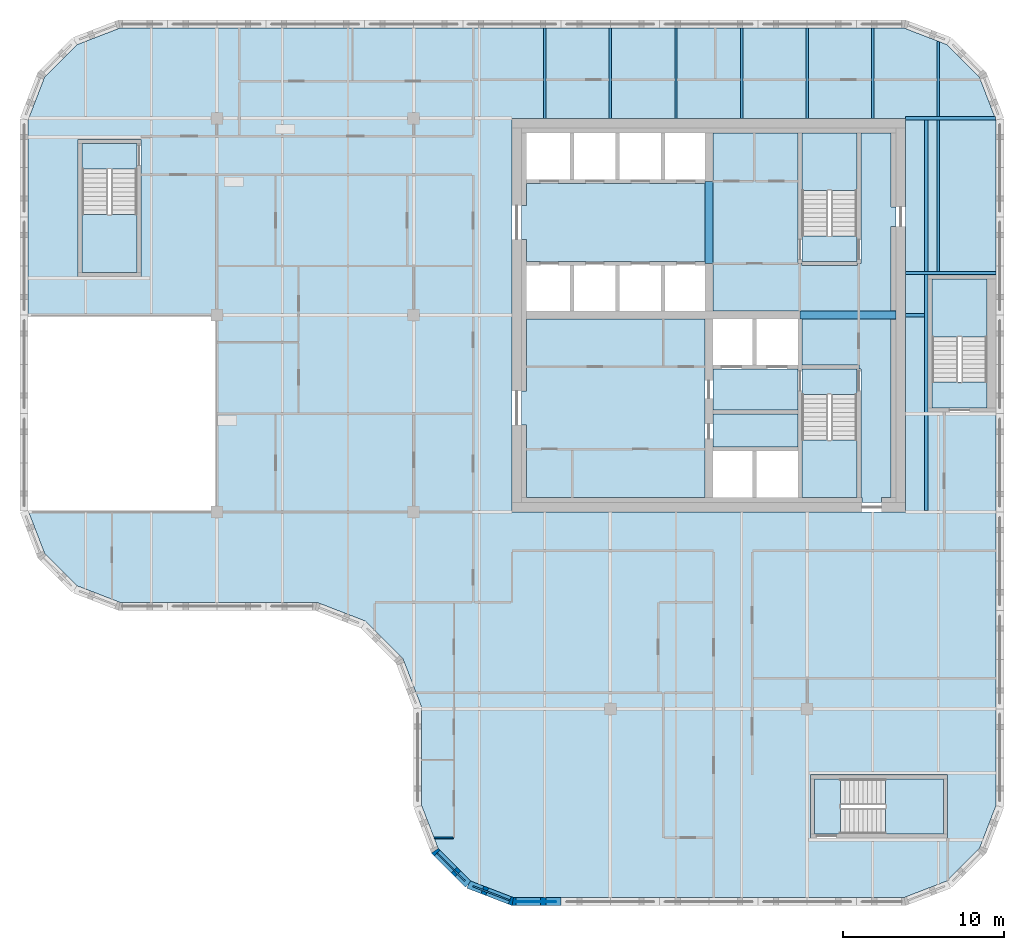
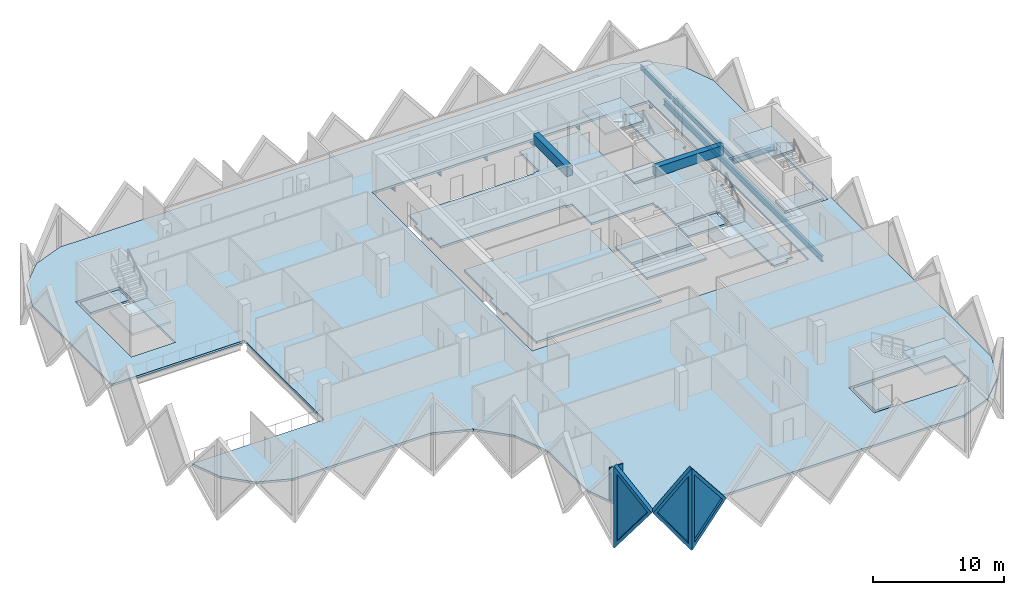
# One storey, part 2 of 12: 15 slabs, 14 beams, 4 walls, 3 plates, 3 openings, 5 elements without a shape of their own.
"""IFC4 building model written with IfcOpenShell, lengths in metres."""

from ifc_helpers import new_model, si_unit, direction, frame, frame_2d, origin, origin_2d, place, context, subcontext, project, spatial, polyline, rectangle, i_section, outline, extrude, faceted_brep, source, transform, mapped, material, layer, layer_set, material_profile, profile_set, type_object, element, fill, aggregate, save


model = new_model("IFC4")

# Units and contexts
model_context = context("Model", 3, precision=1e-05, world=origin(), true_north=direction((0.0, 1.0)))
body_context = subcontext(model_context, "Body", "Model", "MODEL_VIEW")
ifc_project = project(units=[si_unit("LENGTHUNIT", "METRE"), si_unit("AREAUNIT", "SQUARE_METRE"), si_unit("VOLUMEUNIT", "CUBIC_METRE"), si_unit("PLANEANGLEUNIT", "RADIAN"), si_unit("MASSUNIT", "GRAM", prefix="KILO")], contexts=[model_context])

# Site, building, storey
site_placement = place(None, origin())
site = spatial("IfcSite", under=ifc_project, at=site_placement, CompositionType="ELEMENT")
building_placement = place(site_placement, origin())
building = spatial("IfcBuilding", under=site, at=building_placement, Name="Tessera Gate Towers", CompositionType="ELEMENT")
storey_placement = place(building_placement, frame((0.0, 0.0, 163.0)))
storey = spatial("IfcBuildingStorey", under=building, at=storey_placement, Name="L40", CompositionType="ELEMENT", Elevation=163.0)

# Beams
ifc_material_1 = material(Name="Concrete C50/60", Category="concrete")
ifc_material_profile_1 = material_profile(ifc_material_1, rectangle(XDim=0.5, YDim=0.89990234375, at=origin_2d()), Name="RC 500x900")
ifc_profile_set_1 = profile_set([ifc_material_profile_1], Name="Concrete C50/60")
beam_type_1 = type_object("IfcBeamType", Name="COUPLING BEAM 500x900 C50/60", PredefinedType="BEAM", material=ifc_profile_set_1)
beam_1_placement = place(storey_placement, frame((48.35009765625, 36.60009765625, 3.14990234375), z_axis=(1.0, 0.0, 0.0), x_axis=(0.0, 1.0, 0.0)))
element("IfcBeam", 1, at=beam_1_placement, inside=storey, type_object=beam_type_1, Name="L40 coupling beam 1", PredefinedType="BEAM", context=body_context, shape_type="SweptSolid", body=[
    extrude(rectangle(XDim=0.5, YDim=0.89990234375, at=origin_2d()), origin(), (0.0, 0.0, 1.0), 5.949951171875),
])
beam_2_placement = place(storey_placement, frame((42.699951171875, 39.800048828125, 3.14990234375), z_axis=(0.0, 1.0, 0.0), x_axis=(-1.0, 0.0, 0.0)))
element("IfcBeam", 2, at=beam_2_placement, inside=storey, type_object=beam_type_1, Name="L40 coupling beam 2", PredefinedType="BEAM", context=body_context, shape_type="SweptSolid", body=[
    extrude(rectangle(XDim=0.5, YDim=0.89990234375, at=origin_2d()), origin(), (0.0, 0.0, 1.0), 5.099853515625),
])
ifc_material_2 = material(Name="Steel 350W", Category="steel")
ifc_material_profile_2 = material_profile(ifc_material_2, i_section(OverallWidth=0.208984375, OverallDepth=0.532958984375, WebThickness=0.01025390625, FlangeThickness=0.015625, at=origin_2d()), Name="W530x92")
ifc_profile_set_2 = profile_set([ifc_material_profile_2], Name="Steel 350W")
beam_type_2 = type_object("IfcBeamType", Name="FLOOR GIRDER W530x92", PredefinedType="BEAM", material=ifc_profile_set_2)
beam_3_placement = place(storey_placement, frame((54.89892578125, 36.60009765625, -0.466552734375), z_axis=(1.0, 0.0, 0.0), x_axis=(0.0, 1.0, 0.0)))
element("IfcBeam", 3, at=beam_3_placement, inside=storey, type_object=beam_type_2, Name="T1-GD-L40-4526", PredefinedType="BEAM", context=body_context, shape_type="SweptSolid", body=[
    extrude(i_section(OverallWidth=0.208984375, OverallDepth=0.532958984375, WebThickness=0.01025390625, FlangeThickness=0.015625, at=origin_2d()), origin(), (0.0, 0.0, 1.0), 1.176513671875),
])
beam_4_placement = place(storey_placement, frame((54.90087890625, 48.800048828125, -0.466552734375), z_axis=(1.0, 0.0, 0.0), x_axis=(0.0, 1.0, 0.0)))
element("IfcBeam", 4, at=beam_4_placement, inside=storey, type_object=beam_type_2, Name="T1-GD-L40-4530", PredefinedType="BEAM", context=body_context, shape_type="SweptSolid", body=[
    extrude(i_section(OverallWidth=0.208984375, OverallDepth=0.532958984375, WebThickness=0.01025390625, FlangeThickness=0.015625, at=origin_2d()), origin(), (0.0, 0.0, 1.0), 5.564208984375),
])
beam_5_placement = place(storey_placement, frame((54.89892578125, 39.219970703125, -0.466552734375), z_axis=(1.0, 0.0, 0.0), x_axis=(0.0, 1.0, 0.0)))
element("IfcBeam", 5, at=beam_5_placement, inside=storey, type_object=beam_type_2, Name="T1-GD-L40-4548", PredefinedType="BEAM", context=body_context, shape_type="SweptSolid", body=[
    extrude(i_section(OverallWidth=0.208984375, OverallDepth=0.532958984375, WebThickness=0.01025390625, FlangeThickness=0.015625, at=origin_2d()), origin(), (0.0, 0.0, 1.0), 5.60205078125),
])
beam_6_placement = place(storey_placement, frame((56.179931640625, 24.50439453125, -0.466552734375), z_axis=(0.0, 1.0, 0.0), x_axis=(-1.0, 0.0, 0.0)))
element("IfcBeam", 6, at=beam_6_placement, inside=storey, type_object=beam_type_2, Name="T1-GD-L40-4549", PredefinedType="BEAM", context=body_context, shape_type="SweptSolid", body=[
    extrude(i_section(OverallWidth=0.208984375, OverallDepth=0.532958984375, WebThickness=0.01025390625, FlangeThickness=0.015625, at=origin_2d()), origin(), (0.0, 0.0, 1.0), 24.191162109375),
])
ifc_material_3 = material(Name="Steel 350W", Category="steel")
ifc_material_profile_3 = material_profile(ifc_material_3, i_section(OverallWidth=0.153076171875, OverallDepth=0.455078125, WebThickness=0.008056640625, FlangeThickness=0.01318359375, at=origin_2d()), Name="W460x60")
ifc_profile_set_3 = profile_set([ifc_material_profile_3], Name="Steel 350W")
beam_type_3 = type_object("IfcBeamType", Name="FLOOR SECONDARY W460x60", PredefinedType="BEAM", material=ifc_profile_set_3)
for number, where, z_axis, x_axis, name in (
    (7, (32.533203125, 48.800048828125, -0.427490234375), (0.0, 1.0, 0.0), (-1.0, 0.0, 0.0), "T1-BM-L40-4571"),
    (8, (36.60009765625, 48.800048828125, -0.427490234375), (0.0, 1.0, 0.0), (-1.0, 0.0, 0.0), "T1-BM-L40-4572"),
    (9, (40.666748046875, 48.800048828125, -0.427490234375), (0.0, 1.0, 0.0), (-1.0, 0.0, 0.0), "T1-BM-L40-4575"),
    (10, (44.7333984375, 48.800048828125, -0.427490234375), (0.0, 1.0, 0.0), (-1.0, 0.0, 0.0), "T1-BM-L40-4578"),
    (11, (48.800048828125, 48.800048828125, -0.427490234375), (0.0, 1.0, 0.0), (-1.0, 0.0, 0.0), "T1-BM-L40-4579"),
    (12, (52.86669921875, 48.800048828125, -0.427490234375), (0.0, 1.0, 0.0), (-1.0, 0.0, 0.0), "T1-BM-L40-4583"),
):
    element("IfcBeam", number, at=place(storey_placement, frame(where, z_axis=z_axis, x_axis=x_axis)), inside=storey, type_object=beam_type_3, Name=name, PredefinedType="BEAM", context=body_context, shape_type="SweptSolid", body=[
        extrude(i_section(OverallWidth=0.153076171875, OverallDepth=0.455078125, WebThickness=0.008056640625, FlangeThickness=0.01318359375, at=origin_2d()), origin(), (0.0, 0.0, 1.0), 5.599853515625),
    ])
beam_7_placement = place(storey_placement, frame((56.933349609375, 39.324462890625, -0.427490234375), z_axis=(0.0, 1.0, 0.0), x_axis=(-1.0, 0.0, 0.0)))
element("IfcBeam", 13, at=beam_7_placement, inside=storey, type_object=beam_type_3, Name="T1-BM-L40-4588", PredefinedType="BEAM", context=body_context, shape_type="SweptSolid", body=[
    extrude(i_section(OverallWidth=0.153076171875, OverallDepth=0.455078125, WebThickness=0.008056640625, FlangeThickness=0.01318359375, at=origin_2d()), origin(), (0.0, 0.0, 1.0), 9.37109375),
])
beam_8_placement = place(storey_placement, frame((56.933349609375, 48.904541015625, -0.427490234375), z_axis=(0.0, 1.0, 0.0), x_axis=(-1.0, 0.0, 0.0)))
element("IfcBeam", 14, at=beam_8_placement, inside=storey, type_object=beam_type_3, Name="T1-BM-L40-4589", PredefinedType="BEAM", context=body_context, shape_type="SweptSolid", body=[
    extrude(i_section(OverallWidth=0.153076171875, OverallDepth=0.455078125, WebThickness=0.008056640625, FlangeThickness=0.01318359375, at=origin_2d()), origin(), (0.0, 0.0, 1.0), 4.675048828125),
])

# Slabs
ifc_material_4 = material(Name="Concrete C35/45", Category="concrete")
ifc_layer_1 = layer(ifc_material_4, 0.199951171875)
ifc_layer_set_1 = layer_set([ifc_layer_1], Name="COMPOSITE FLOOR 200")
slab_type_1 = type_object("IfcSlabType", Name="COMPOSITE FLOOR 200", PredefinedType="FLOOR", material=ifc_layer_set_1)
slab_1_placement = place(storey_placement, frame((0.0, 0.0, -0.199951171875)))
element("IfcSlab", 15, at=slab_1_placement, inside=storey, type_object=slab_type_1, Name="T1-L40", PredefinedType="FLOOR", context=body_context, shape_type="SweptSolid", body=[
    extrude(outline(polyline([(0.5, 36.60009765625), (12.199951171875, 36.60009765625), (12.199951171875, 24.39990234375), (0.535888671875, 24.39990234375), (1.526123046875, 21.8330078125), (3.533203125, 19.826171875), (6.193115234375, 18.800048828125), (18.39306640625, 18.800048828125), (21.42431640625, 17.630615234375), (23.730712890625, 15.32421875), (24.89990234375, 12.293212890625), (24.89990234375, 6.193115234375), (25.926025390625, 3.533203125), (27.93310546875, 1.526123046875), (30.593017578125, 0.5), (54.806884765625, 0.5), (57.466796875, 1.526123046875), (59.473876953125, 3.533203125), (60.5, 6.193115234375), (60.5, 48.706787109375), (59.473876953125, 51.366943359375), (57.466796875, 53.373779296875), (54.806884765625, 54.39990234375), (6.193115234375, 54.39990234375), (3.533203125, 53.373779296875), (1.526123046875, 51.366943359375), (0.5, 48.706787109375), (0.5, 36.60009765625)]), holes=[polyline([(3.60009765625, 39.0), (3.60009765625, 47.5), (7.5, 47.5), (7.5, 39.0), (3.60009765625, 39.0)]), polyline([(30.5, 24.39990234375), (30.5, 48.800048828125), (54.89990234375, 48.800048828125), (54.89990234375, 24.39990234375), (30.5, 24.39990234375)]), polyline([(49.0, 4.199951171875), (49.0, 8.10009765625), (57.5, 8.10009765625), (57.5, 4.199951171875), (49.0, 4.199951171875)]), polyline([(56.300048828125, 30.60009765625), (56.300048828125, 39.10009765625), (60.199951171875, 39.10009765625), (60.199951171875, 30.60009765625), (56.300048828125, 30.60009765625)])]), origin(), (0.0, 0.0, 1.0), 0.199951171875),
])
ifc_material_5 = material(Name="Concrete C35/45", Category="concrete")
ifc_layer_2 = layer(ifc_material_5, 0.199951171875)
ifc_layer_set_2 = layer_set([ifc_layer_2], Name="CORE FLOOR SLAB 200")
slab_type_2 = type_object("IfcSlabType", Name="CORE FLOOR SLAB 200", PredefinedType="FLOOR", material=ifc_layer_set_2)
slab_2_placement = place(storey_placement, frame((0.0, 0.0, -0.199951171875)))
element("IfcSlab", 16, at=slab_2_placement, inside=storey, type_object=slab_type_2, Name="L40 core floor slab", PredefinedType="FLOOR", context=body_context, shape_type="SweptSolid", body=[
    extrude(outline(polyline([(42.449951171875, 44.89990234375), (42.449951171875, 44.77490234375), (31.39990234375, 44.77490234375), (31.39990234375, 43.39990234375), (31.10009765625, 43.39990234375), (31.10009765625, 41.300048828125), (31.39990234375, 41.300048828125), (31.39990234375, 39.925048828125), (42.449951171875, 39.925048828125), (42.449951171875, 39.800048828125), (42.949951171875, 39.800048828125), (42.949951171875, 36.85009765625), (48.35009765625, 36.85009765625), (48.35009765625, 36.35009765625), (48.47509765625, 36.35009765625), (48.47509765625, 33.52490234375), (52.0, 33.52490234375), (52.0, 33.27490234375), (52.125, 33.27490234375), (52.125, 25.300048828125), (52.199951171875, 25.300048828125), (52.199951171875, 25.0), (53.39990234375, 25.0), (53.39990234375, 25.300048828125), (54.0, 25.300048828125), (54.0, 36.320068359375), (54.300048828125, 36.320068359375), (54.300048828125, 36.8798828125), (54.0, 36.8798828125), (54.0, 42.10009765625), (54.300048828125, 42.10009765625), (54.300048828125, 43.300048828125), (54.0, 43.300048828125), (54.0, 47.89990234375), (52.125, 47.89990234375), (52.125, 39.800048828125), (51.875, 39.800048828125), (51.875, 39.675048828125), (48.47509765625, 39.675048828125), (48.47509765625, 39.800048828125), (48.22509765625, 39.800048828125), (48.22509765625, 47.89990234375), (42.949951171875, 47.89990234375), (42.949951171875, 44.89990234375), (42.449951171875, 44.89990234375)])), origin(), (0.0, 0.0, 1.0), 0.199951171875),
])
slab_3_placement = place(storey_placement, frame((0.0, 0.0, -0.199951171875)))
element("IfcSlab", 17, at=slab_3_placement, inside=storey, type_object=slab_type_2, Name="L40 core floor slab", PredefinedType="FLOOR", context=body_context, shape_type="SweptSolid", body=[
    extrude(outline(polyline([(31.39990234375, 36.35009765625), (31.39990234375, 31.89990234375), (31.10009765625, 31.89990234375), (31.10009765625, 29.800048828125), (31.39990234375, 29.800048828125), (31.39990234375, 25.300048828125), (42.449951171875, 25.300048828125), (42.449951171875, 36.35009765625), (31.39990234375, 36.35009765625)])), origin(), (0.0, 0.0, 1.0), 0.199951171875),
])
slab_4_placement = place(storey_placement, frame((0.0, 0.0, -0.199951171875)))
element("IfcSlab", 18, at=slab_4_placement, inside=storey, type_object=slab_type_2, Name="L40 core floor slab", PredefinedType="FLOOR", context=body_context, shape_type="SweptSolid", body=[
    extrude(outline(polyline([(42.949951171875, 33.27490234375), (42.949951171875, 30.72509765625), (48.22509765625, 30.72509765625), (48.22509765625, 33.27490234375), (42.949951171875, 33.27490234375)])), origin(), (0.0, 0.0, 1.0), 0.199951171875),
])
slab_5_placement = place(storey_placement, frame((0.0, 0.0, -0.199951171875)))
element("IfcSlab", 19, at=slab_5_placement, inside=storey, type_object=slab_type_2, Name="L40 core floor slab", PredefinedType="FLOOR", context=body_context, shape_type="SweptSolid", body=[
    extrude(outline(polyline([(48.22509765625, 30.47509765625), (42.949951171875, 30.47509765625), (42.949951171875, 28.425048828125), (48.22509765625, 28.425048828125), (48.22509765625, 30.47509765625)])), origin(), (0.0, 0.0, 1.0), 0.199951171875),
])
slab_6_placement = place(storey_placement, frame((0.0, 0.0, -0.199951171875)))
element("IfcSlab", 20, at=slab_6_placement, inside=storey, type_object=slab_type_2, Name="L40 core floor slab", PredefinedType="FLOOR", context=body_context, shape_type="SweptSolid", body=[
    extrude(outline(polyline([(51.875, 31.675048828125), (51.875, 33.27490234375), (48.47509765625, 33.27490234375), (48.47509765625, 31.675048828125), (51.875, 31.675048828125)])), origin(), (0.0, 0.0, 1.0), 0.199951171875),
])
slab_7_placement = place(storey_placement, frame((0.0, 0.0, -0.199951171875)))
element("IfcSlab", 21, at=slab_7_placement, inside=storey, type_object=slab_type_2, Name="L40 core floor slab", PredefinedType="FLOOR", context=body_context, shape_type="SweptSolid", body=[
    extrude(outline(polyline([(48.47509765625, 41.52490234375), (48.47509765625, 39.925048828125), (51.875, 39.925048828125), (51.875, 41.52490234375), (48.47509765625, 41.52490234375)])), origin(), (0.0, 0.0, 1.0), 0.199951171875),
])
slab_8_placement = place(storey_placement, frame((0.0, 0.0, -0.199951171875)))
element("IfcSlab", 22, at=slab_8_placement, inside=storey, type_object=slab_type_2, Name="L40 ST3 floor landing", PredefinedType="FLOOR", context=body_context, shape_type="SweptSolid", body=[
    extrude(outline(polyline([(3.85009765625, 47.25), (3.85009765625, 45.64990234375), (7.25, 45.64990234375), (7.25, 47.25), (3.85009765625, 47.25)])), origin(), (0.0, 0.0, 1.0), 0.199951171875),
])
slab_9_placement = place(storey_placement, frame((0.0, 0.0, -0.199951171875)))
element("IfcSlab", 23, at=slab_9_placement, inside=storey, type_object=slab_type_2, Name="L40 ST4 floor landing", PredefinedType="FLOOR", context=body_context, shape_type="SweptSolid", body=[
    extrude(outline(polyline([(49.25, 4.449951171875), (50.85009765625, 4.449951171875), (50.85009765625, 7.85009765625), (49.25, 7.85009765625), (49.25, 4.449951171875)])), origin(), (0.0, 0.0, 1.0), 0.199951171875),
])
slab_10_placement = place(storey_placement, frame((0.0, 0.0, -0.199951171875)))
element("IfcSlab", 24, at=slab_10_placement, inside=storey, type_object=slab_type_2, Name="L40 ST5 floor landing", PredefinedType="FLOOR", context=body_context, shape_type="SweptSolid", body=[
    extrude(outline(polyline([(59.949951171875, 30.85009765625), (59.949951171875, 32.449951171875), (56.550048828125, 32.449951171875), (56.550048828125, 30.85009765625), (59.949951171875, 30.85009765625)])), origin(), (0.0, 0.0, 1.0), 0.199951171875),
])

# Stair, slab
ifc_material_6 = material(Name="Concrete C40/50", Category="concrete")
stair_type_1 = type_object("IfcStairType", Name="EXIT STAIR ST1 1600", PredefinedType="HALF_TURN_STAIR", material=ifc_material_6)
stair_1_placement = place(storey_placement, origin())
stair_1 = element("IfcStair", 25, at=stair_1_placement, inside=storey, type_object=stair_type_1, Name="L40 Protected Exit Stair ST1", PredefinedType="HALF_TURN_STAIR")
ifc_material_7 = material(Name="Concrete C40/50", Category="concrete")
ifc_layer_3 = layer(ifc_material_7, 0.199951171875)
ifc_layer_set_3 = layer_set([ifc_layer_3], Name="EXIT STAIR LANDING 200")
slab_type_3 = type_object("IfcSlabType", Name="EXIT STAIR LANDING 200", PredefinedType="LANDING", material=ifc_layer_set_3)
slab_11_placement = place(storey_placement, frame((0.0, 0.0, 1.699951171875)))
slab_11 = element("IfcSlab", 26, at=slab_11_placement, type_object=slab_type_3, Name="ST1 landing 1", PredefinedType="LANDING", context=body_context, shape_type="SweptSolid", body=[
    extrude(outline(polyline([(48.47509765625, 28.875), (48.47509765625, 25.300048828125), (51.875, 25.300048828125), (51.875, 28.875), (48.47509765625, 28.875)])), origin(), (0.0, 0.0, 1.0), 0.199951171875),
])
aggregate(stair_1, [slab_11])

ifc_material_8 = material(Name="Concrete C40/50", Category="concrete")
stair_type_2 = type_object("IfcStairType", Name="EXIT STAIR ST2 1600", PredefinedType="HALF_TURN_STAIR", material=ifc_material_8)
stair_2_placement = place(storey_placement, origin())
stair_2 = element("IfcStair", 27, at=stair_2_placement, inside=storey, type_object=stair_type_2, Name="L40 Protected Exit Stair ST2", PredefinedType="HALF_TURN_STAIR")
slab_12_placement = place(storey_placement, frame((0.0, 0.0, 1.699951171875)))
slab_12 = element("IfcSlab", 28, at=slab_12_placement, type_object=slab_type_3, Name="ST2 landing 1", PredefinedType="LANDING", context=body_context, shape_type="SweptSolid", body=[
    extrude(outline(polyline([(51.875, 44.324951171875), (51.875, 47.89990234375), (48.47509765625, 47.89990234375), (48.47509765625, 44.324951171875), (51.875, 44.324951171875)])), origin(), (0.0, 0.0, 1.0), 0.199951171875),
])
aggregate(stair_2, [slab_12])

ifc_material_9 = material(Name="Concrete C40/50", Category="concrete")
stair_type_3 = type_object("IfcStairType", Name="EXIT STAIR ST3 1600", PredefinedType="HALF_TURN_STAIR", material=ifc_material_9)
stair_3_placement = place(storey_placement, origin())
stair_3 = element("IfcStair", 29, at=stair_3_placement, inside=storey, type_object=stair_type_3, Name="L40 West Exit Stair ST3", PredefinedType="HALF_TURN_STAIR")
slab_13_placement = place(storey_placement, frame((0.0, 0.0, 1.699951171875)))
slab_13 = element("IfcSlab", 30, at=slab_13_placement, type_object=slab_type_3, Name="ST3 landing 1", PredefinedType="LANDING", context=body_context, shape_type="SweptSolid", body=[
    extrude(outline(polyline([(3.85009765625, 42.85009765625), (3.85009765625, 39.25), (7.25, 39.25), (7.25, 42.85009765625), (3.85009765625, 42.85009765625)])), origin(), (0.0, 0.0, 1.0), 0.199951171875),
])
aggregate(stair_3, [slab_13])

ifc_material_10 = material(Name="Concrete C40/50", Category="concrete")
stair_type_4 = type_object("IfcStairType", Name="EXIT STAIR ST4 1600", PredefinedType="HALF_TURN_STAIR", material=ifc_material_10)
stair_4_placement = place(storey_placement, origin())
stair_4 = element("IfcStair", 31, at=stair_4_placement, inside=storey, type_object=stair_type_4, Name="L40 South Exit Stair ST4", PredefinedType="HALF_TURN_STAIR")
slab_14_placement = place(storey_placement, frame((0.0, 0.0, 1.699951171875)))
slab_14 = element("IfcSlab", 32, at=slab_14_placement, type_object=slab_type_3, Name="ST4 landing 1", PredefinedType="LANDING", context=body_context, shape_type="SweptSolid", body=[
    extrude(outline(polyline([(53.64990234375, 4.449951171875), (57.25, 4.449951171875), (57.25, 7.85009765625), (53.64990234375, 7.85009765625), (53.64990234375, 4.449951171875)])), origin(), (0.0, 0.0, 1.0), 0.199951171875),
])
aggregate(stair_4, [slab_14])

ifc_material_11 = material(Name="Concrete C40/50", Category="concrete")
stair_type_5 = type_object("IfcStairType", Name="EXIT STAIR ST5 1600", PredefinedType="HALF_TURN_STAIR", material=ifc_material_11)
stair_5_placement = place(storey_placement, origin())
stair_5 = element("IfcStair", 33, at=stair_5_placement, inside=storey, type_object=stair_type_5, Name="L40 East Exit Stair ST5", PredefinedType="HALF_TURN_STAIR")
slab_15_placement = place(storey_placement, frame((0.0, 0.0, 1.699951171875)))
slab_15 = element("IfcSlab", 34, at=slab_15_placement, type_object=slab_type_3, Name="ST5 landing 1", PredefinedType="LANDING", context=body_context, shape_type="SweptSolid", body=[
    extrude(outline(polyline([(59.949951171875, 35.25), (59.949951171875, 38.85009765625), (56.550048828125, 38.85009765625), (56.550048828125, 35.25), (59.949951171875, 35.25)])), origin(), (0.0, 0.0, 1.0), 0.199951171875),
])
aggregate(stair_5, [slab_15])

# Wall
ifc_material_12 = material(Name="Gypsum board on steel studs", Category="steel")
ifc_layer_4 = layer(ifc_material_12, 0.10009765625)
ifc_layer_set_4 = layer_set([ifc_layer_4], Name="PARTITION 100")
wall_type_1 = type_object("IfcWallType", Name="PARTITION 100", PredefinedType="PARTITIONING", material=ifc_layer_set_4)
wall_1_placement = place(storey_placement, frame((25.668701171875, 4.199951171875, 0.0), z_axis=(0.0, 0.0, 1.0), x_axis=(1.0, 0.0, 0.0)))
element("IfcWall", 35, at=wall_1_placement, inside=storey, type_object=wall_type_1, Name="T1-L40-PW-003", PredefinedType="PARTITIONING", context=body_context, shape_type="SweptSolid", body=[
    extrude(rectangle(XDim=1.180419921875, YDim=0.10009765625, at=frame_2d((0.59033203125, 0.0))), origin(), (0.0, 0.0, 1.0), 3.06689453125),
])

# Wall, opening, plate
ifc_material_13 = material(Name="Precast concrete C60/75 white", Category="concrete")
ifc_layer_5 = layer(ifc_material_13, 0.5)
ifc_layer_set_5 = layer_set([ifc_layer_5], Name="TS3 corner tessera")
wall_type_2 = type_object("IfcWallType", Name="TS3 corner tessera", PredefinedType="SOLIDWALL", material=ifc_layer_set_5)
shared_shape_1 = source(origin(), body_context, "Body", "Brep", [
    faceted_brep([(0.046630859375, -0.25, 0.0), (3.050048828125, -0.25, 3.800048828125), (0.046630859375, -0.25, 7.60009765625), (0.0, -0.25, 7.5400390625), (0.0, -0.25, 0.06005859375), (0.09326171875, 0.25, 7.541259765625), (3.050048828125, 0.25, 3.800048828125), (0.09326171875, 0.25, 0.058837890625), (0.046630859375, 0.0, 0.0), (0.046630859375, 0.0, 7.60009765625)], [[[0, 1, 2, 3, 4]], [[5, 6, 7]], [[7, 6, 1, 0, 8]], [[6, 5, 9, 2, 1]], [[3, 2, 9]], [[8, 0, 4]], [[7, 8, 4, 3, 9, 5]]]),
])
wall_2_placement = place(storey_placement, frame((30.5, 0.25, -3.800048828125), z_axis=(0.0, 0.0, 1.0), x_axis=(1.0, 0.0, 0.0)))
wall_2 = element("IfcWall", 36, at=wall_2_placement, inside=storey, type_object=wall_type_2, Name="Precast corner tessera T1 TS3-0913", PredefinedType="SOLIDWALL", context=body_context, shape_type="MappedRepresentation", body=[
    mapped(shared_shape_1, transform((0.0, 0.0, 0.0), scale=1.0)),
])
shared_shape_2 = source(origin(), body_context, "Body", "SweptSolid", [
    extrude(outline(polyline([(0.24658203125, 0.65625), (2.7314453125, 3.800048828125), (0.24658203125, 6.94384765625), (0.24658203125, 0.65625)])), frame((0.0, 0.260009765625, 0.0), z_axis=(0.0, -1.0, 0.0), x_axis=(1.0, 0.0, 0.0)), (0.0, 0.0, 1.0), 0.52001953125),
])
opening_1_placement = place(wall_2_placement, origin())
opening_1 = element("IfcOpeningElement", 37, at=opening_1_placement, cuts=wall_2, Name="Opening T1-PL2-1363", PredefinedType="OPENING", context=body_context, shape_type="MappedRepresentation", body=[
    mapped(shared_shape_2, transform((0.0, 0.0, 0.0), scale=1.0)),
])
ifc_material_14 = material(Name="Low-e laminated glass", Category="glass")
ifc_layer_6 = layer(ifc_material_14, 0.06005859375)
ifc_layer_set_6 = layer_set([ifc_layer_6], Name="PL2 rhombic pane")
plate_type = type_object("IfcPlateType", Name="PL2 rhombic pane", PredefinedType="SHEET", material=ifc_layer_set_6)
shared_shape_3 = source(origin(), body_context, "Body", "SweptSolid", [
    extrude(outline(polyline([(0.24658203125, 0.65625), (2.7314453125, 3.800048828125), (0.24658203125, 6.94384765625), (0.24658203125, 0.65625)])), frame((0.0, 0.030029296875, 0.0), z_axis=(0.0, -1.0, 0.0), x_axis=(1.0, 0.0, 0.0)), (0.0, 0.0, 1.0), 0.06005859375),
])
plate_1_placement = place(opening_1_placement, origin())
plate_1 = element("IfcPlate", 38, at=plate_1_placement, inside=storey, type_object=plate_type, Name="Glass pane T1 PL2-1363", PredefinedType="SHEET", context=body_context, shape_type="MappedRepresentation", body=[
    mapped(shared_shape_3, transform((0.0, 0.0, 0.0), scale=1.0)),
])
fill(opening_1, plate_1)

shared_shape_4 = source(origin(), body_context, "Body", "Brep", [
    faceted_brep([(0.052978515625, -0.25, 0.0), (2.9970703125, -0.25, 3.800048828125), (0.052978515625, -0.25, 7.60009765625), (0.0, -0.25, 7.531982421875), (0.0, -0.25, 0.068115234375), (0.10595703125, 0.25, 7.53173828125), (2.944091796875, 0.25, 3.8681640625), (2.944091796875, 0.25, 3.73193359375), (0.10595703125, 0.25, 0.068359375), (2.9970703125, 0.000244140625, 3.800048828125), (0.052978515625, 0.0, 0.0), (0.052978515625, 0.0, 7.60009765625)], [[[0, 1, 2, 3, 4]], [[5, 6, 7, 8]], [[8, 7, 9, 1, 0, 10]], [[6, 5, 11, 2, 1, 9]], [[3, 2, 11]], [[10, 0, 4]], [[8, 10, 4, 3, 11, 5]], [[9, 7, 6]]]),
])
wall_3_placement = place(storey_placement, frame((25.674560546875, 3.43115234375, -3.800048828125), z_axis=(0.0, 0.0, 1.0), x_axis=(0.707106781187, -0.707106781187, 0.0)))
wall_3 = element("IfcWall", 39, at=wall_3_placement, inside=storey, type_object=wall_type_2, Name="Precast corner tessera T1 TS3-0936", PredefinedType="SOLIDWALL", context=body_context, shape_type="MappedRepresentation", body=[
    mapped(shared_shape_4, transform((0.0, 0.0, 0.0), scale=1.0)),
])
shared_shape_5 = source(origin(), body_context, "Body", "SweptSolid", [
    extrude(outline(polyline([(0.2529296875, 0.666259765625), (2.680908203125, 3.800048828125), (0.2529296875, 6.933837890625), (0.2529296875, 0.666259765625)])), frame((0.0, 0.260009765625, 0.0), z_axis=(0.0, -1.0, 0.0), x_axis=(1.0, 0.0, 0.0)), (0.0, 0.0, 1.0), 0.52001953125),
])
opening_2_placement = place(wall_3_placement, origin())
opening_2 = element("IfcOpeningElement", 40, at=opening_2_placement, cuts=wall_3, Name="Opening T1-PL2-1409", PredefinedType="OPENING", context=body_context, shape_type="MappedRepresentation", body=[
    mapped(shared_shape_5, transform((0.0, 0.0, 0.0), scale=1.0)),
])
shared_shape_6 = source(origin(), body_context, "Body", "SweptSolid", [
    extrude(outline(polyline([(0.2529296875, 0.666259765625), (2.680908203125, 3.800048828125), (0.2529296875, 6.933837890625), (0.2529296875, 0.666259765625)])), frame((0.0, 0.030029296875, 0.0), z_axis=(0.0, -1.0, 0.0), x_axis=(1.0, 0.0, 0.0)), (0.0, 0.0, 1.0), 0.06005859375),
])
plate_2_placement = place(opening_2_placement, origin())
plate_2 = element("IfcPlate", 41, at=plate_2_placement, inside=storey, type_object=plate_type, Name="Glass pane T1 PL2-1409", PredefinedType="SHEET", context=body_context, shape_type="MappedRepresentation", body=[
    mapped(shared_shape_6, transform((0.0, 0.0, 0.0), scale=1.0)),
])
fill(opening_2, plate_2)

shared_shape_7 = source(origin(), body_context, "Body", "Brep", [
    faceted_brep([(2.950439453125, -0.25, 0.0), (2.9970703125, -0.25, 0.05908203125), (2.9970703125, -0.25, 7.541015625), (2.950439453125, -0.25, 7.60009765625), (0.0, -0.25, 3.800048828125), (0.052978515625, 0.25, 3.8681640625), (2.904052734375, 0.25, 7.540283203125), (2.904052734375, 0.25, 0.059814453125), (0.052978515625, 0.25, 3.73193359375), (2.950439453125, 0.00048828125, 0.0), (2.950439453125, 0.00048828125, 7.60009765625), (0.0, 0.0, 3.800048828125)], [[[0, 1, 2, 3, 4]], [[5, 6, 7, 8]], [[1, 0, 9]], [[10, 3, 2]], [[6, 5, 11, 4, 3, 10]], [[8, 7, 9, 0, 4, 11]], [[8, 11, 5]], [[1, 9, 7, 6, 10, 2]]]),
])
wall_4_placement = place(storey_placement, frame((27.793701171875, 1.31201171875, -3.800048828125), z_axis=(0.0, 0.0, 1.0), x_axis=(0.932973525033, -0.359944998003, 0.0)))
wall_4 = element("IfcWall", 42, at=wall_4_placement, inside=storey, type_object=wall_type_2, Name="Precast corner tessera T1 TS3-0914", PredefinedType="SOLIDWALL", context=body_context, shape_type="MappedRepresentation", body=[
    mapped(shared_shape_7, transform((0.0, 0.0, 0.0), scale=1.0)),
])
shared_shape_8 = source(origin(), body_context, "Body", "SweptSolid", [
    extrude(outline(polyline([(2.75048828125, 6.934814453125), (0.31640625, 3.800048828125), (2.75048828125, 0.665283203125), (2.75048828125, 6.934814453125)])), frame((0.0, 0.260009765625, 0.0), z_axis=(0.0, -1.0, 0.0), x_axis=(1.0, 0.0, 0.0)), (0.0, 0.0, 1.0), 0.52001953125),
])
opening_3_placement = place(wall_4_placement, origin())
opening_3 = element("IfcOpeningElement", 43, at=opening_3_placement, cuts=wall_4, Name="Opening T1-PL2-1364", PredefinedType="OPENING", context=body_context, shape_type="MappedRepresentation", body=[
    mapped(shared_shape_8, transform((0.0, 0.0, 0.0), scale=1.0)),
])
shared_shape_9 = source(origin(), body_context, "Body", "SweptSolid", [
    extrude(outline(polyline([(2.75048828125, 6.934814453125), (0.31640625, 3.800048828125), (2.75048828125, 0.665283203125), (2.75048828125, 6.934814453125)])), frame((0.0, 0.030029296875, 0.0), z_axis=(0.0, -1.0, 0.0), x_axis=(1.0, 0.0, 0.0)), (0.0, 0.0, 1.0), 0.06005859375),
])
plate_3_placement = place(opening_3_placement, origin())
plate_3 = element("IfcPlate", 44, at=plate_3_placement, inside=storey, type_object=plate_type, Name="Glass pane T1 PL2-1364", PredefinedType="SHEET", context=body_context, shape_type="MappedRepresentation", body=[
    mapped(shared_shape_9, transform((0.0, 0.0, 0.0), scale=1.0)),
])
fill(opening_3, plate_3)

save(model, "model.ifc")
